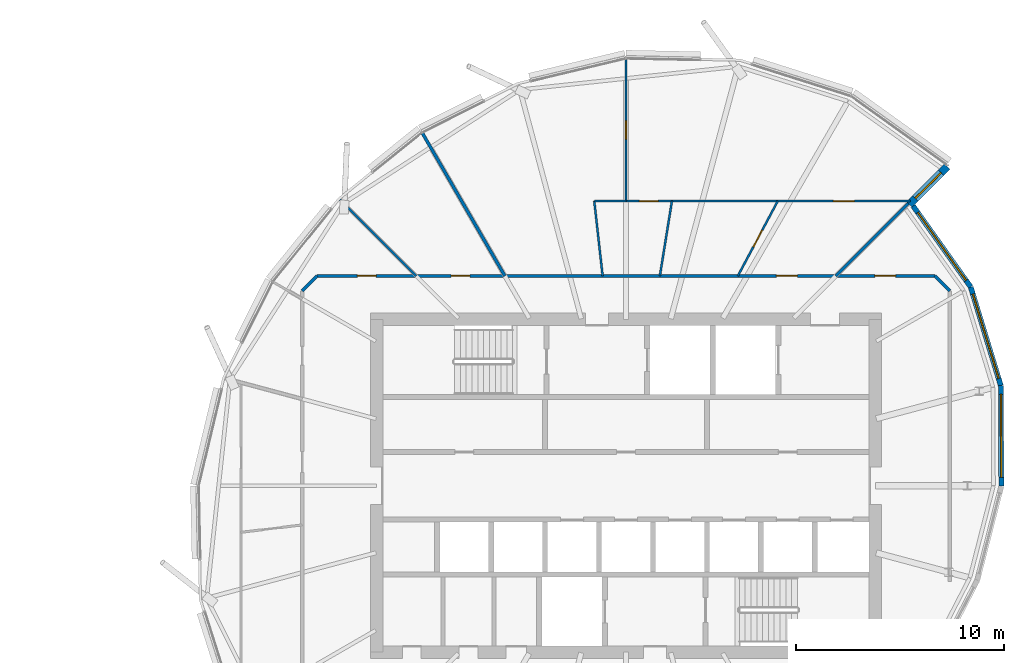
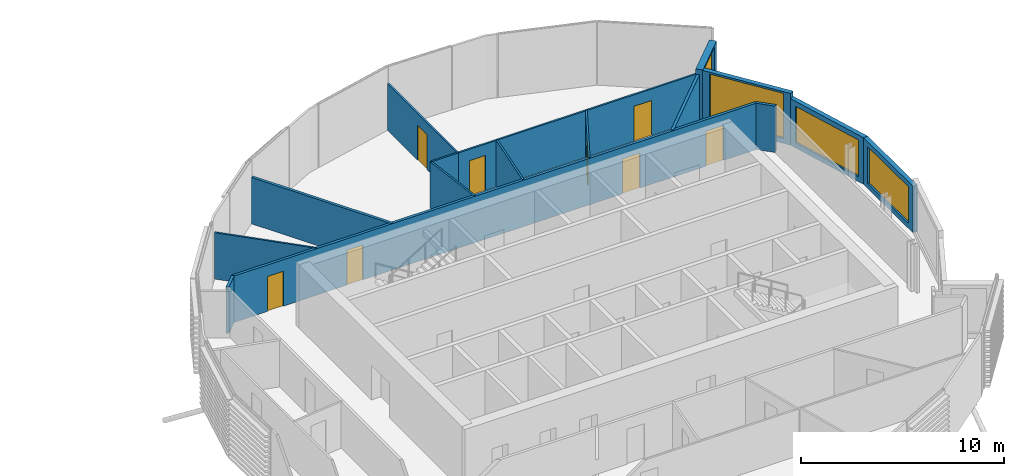
# One storey, part 24 of 36: 16 walls, 8 doors, 4 windows, 12 openings.
"""IFC4 building model written with IfcOpenShell, lengths in metres."""

import ifcopenshell
import ifcopenshell.guid

model = None  # the IFC model being written
_history = None  # IfcOwnerHistory: only IFC2X3 demands one
_inside = {}  # id of a spatial element -> (the spatial element, [elements in it])
_under = {}  # id of a project, library or spatial element -> (it, [spatial elements below it])
_declared = {}  # id of a project -> (the project, [libraries it declares])
_typed = {}  # id of a type object -> (the type object, [elements of that type])
_made_of = {}  # id of a material, layer set ... -> (it, [elements and type objects made of it])


def new_model(schema):
    """Start an empty IFC model of exactly this schema.

    Asked for "IFC4X3", IfcOpenShell would pick the latest addendum, in which some entities
    have other attributes; the version numbers below select the first issue.
    IFC2X3 requires an IfcOwnerHistory on every rooted entity: one is made here for all.
    """
    global model, _history
    if schema == "IFC4X3":
        model = ifcopenshell.file(schema_version=(4, 3, 0, 0))
    else:
        model = ifcopenshell.file(schema=schema)
    _inside.clear()
    _under.clear()
    _declared.clear()
    _typed.clear()
    _made_of.clear()
    _history = None
    if model.schema == "IFC2X3":
        org = make("IfcOrganization", Name="unknown")
        user = make(
            "IfcPersonAndOrganization",
            ThePerson=make("IfcPerson", FamilyName="unknown"),
            TheOrganization=org,
        )
        app = make(
            "IfcApplication",
            ApplicationDeveloper=org,
            Version="unknown",
            ApplicationFullName="unknown",
            ApplicationIdentifier="unknown",
        )
        _history = make(
            "IfcOwnerHistory",
            OwningUser=user,
            OwningApplication=app,
            ChangeAction="ADDED",
            CreationDate=0,
        )
    return model


def make(cls, **values):
    """One entity of the class cls with the attributes given. An attribute that is None is left unset."""
    return model.create_entity(
        cls, **{name: value for name, value in values.items() if value is not None}
    )


def rooted(cls, **values):
    """An entity with a GlobalId (a new one), such as an element, a storey or a relation."""
    return make(cls, GlobalId=ifcopenshell.guid.new(), OwnerHistory=_history, **values)


def si_unit(unit_type, name, prefix=None):
    """IfcSIUnit, for example si_unit("LENGTHUNIT", "METRE", prefix="MILLI")."""
    return make("IfcSIUnit", UnitType=unit_type, Prefix=prefix, Name=name)


def assignment(units):
    """IfcUnitAssignment: the units of a project."""
    return None if units is None else make("IfcUnitAssignment", Units=units)


def point(xyz):
    """IfcCartesianPoint."""
    return None if xyz is None else make("IfcCartesianPoint", Coordinates=xyz)


def direction(xyz):
    """IfcDirection."""
    return None if xyz is None else make("IfcDirection", DirectionRatios=xyz)


def frame(location, z_axis=None, x_axis=None):
    """IfcAxis2Placement3D, a coordinate frame: its origin and axes. An axis left out is left unset."""
    return make(
        "IfcAxis2Placement3D",
        Location=point(location),
        Axis=direction(z_axis),
        RefDirection=direction(x_axis),
    )


def frame_2d(location, x_axis=None):
    """IfcAxis2Placement2D, a coordinate frame in the plane: its origin and x axis."""
    return make(
        "IfcAxis2Placement2D", Location=point(location), RefDirection=direction(x_axis)
    )


def origin():
    """The frame at (0, 0, 0) with its axes left unset."""
    return frame((0.0, 0.0, 0.0))


def place(relative_to, where):
    """IfcLocalPlacement: puts the frame where relative to a parent placement (None: the world)."""
    return make(
        "IfcLocalPlacement", PlacementRelTo=relative_to, RelativePlacement=where
    )


def context(
    kind, dimensions, precision=None, world=None, true_north=None, identifier=None
):
    """IfcGeometricRepresentationContext, for example the 3D "Model" context."""
    return make(
        "IfcGeometricRepresentationContext",
        ContextIdentifier=identifier,
        ContextType=kind,
        CoordinateSpaceDimension=dimensions,
        Precision=precision,
        WorldCoordinateSystem=world,
        TrueNorth=true_north,
    )


def subcontext(parent, identifier, kind, view, scale=None):
    """IfcGeometricRepresentationSubContext, for example "Body" below "Model"."""
    return make(
        "IfcGeometricRepresentationSubContext",
        ContextIdentifier=identifier,
        ContextType=kind,
        ParentContext=parent,
        TargetScale=scale,
        TargetView=view,
    )


def project(units=None, contexts=None):
    """IfcProject with its units and contexts."""
    return rooted(
        "IfcProject",
        Name="project",
        RepresentationContexts=contexts,
        UnitsInContext=assignment(units),
    )


def spatial(cls, under=None, at=None, **own):
    """A site, building, storey or space (cls), placed at a placement, below another one or the project."""
    s = rooted(cls, ObjectPlacement=at, **own)
    if under is not None:
        _under.setdefault(under.id(), (under, []))[1].append(s)
    return s


def profile(cls, at=None, kind="AREA", **sizes):
    """A parametric profile (cls). Its sizes go by their IFC names, for example OverallWidth=200.0."""
    return make(cls, ProfileType=kind, Position=at, **sizes)


def rectangle(**sizes):
    """IfcRectangleProfileDef."""
    return profile("IfcRectangleProfileDef", **sizes)


def extrude(swept, where, along, depth):
    """IfcExtrudedAreaSolid: the profile swept, set in the frame where, extruded along a direction by depth."""
    return make(
        "IfcExtrudedAreaSolid",
        SweptArea=swept,
        Position=where,
        ExtrudedDirection=direction(along),
        Depth=depth,
    )


def shape(context_of_items, identifier, shape_type, items):
    """IfcShapeRepresentation: the items that make up one representation, for example the "Body"."""
    return make(
        "IfcShapeRepresentation",
        ContextOfItems=context_of_items,
        RepresentationIdentifier=identifier,
        RepresentationType=shape_type,
        Items=items,
    )


def material(Name=None, Category=None):
    """IfcMaterial."""
    return make("IfcMaterial", Name=Name, Category=Category)


def layer(
    of_material, thickness, ventilated=None, Name=None, Category=None, Priority=None
):
    """IfcMaterialLayer: one layer of a wall or slab, of a material (None: an air gap)."""
    return make(
        "IfcMaterialLayer",
        Material=of_material,
        LayerThickness=thickness,
        IsVentilated=ventilated,
        Name=Name,
        Category=Category,
        Priority=Priority,
    )


def layer_set(layers, Name=None):
    """IfcMaterialLayerSet."""
    return make("IfcMaterialLayerSet", MaterialLayers=layers, LayerSetName=Name)


def made_of(thing, what):
    """Note that an element or type object is made of a material, layer set ...; save() writes the relation."""
    if what is not None:
        _made_of.setdefault(what.id(), (what, []))[1].append(thing)
    return thing


def type_object(cls, material=None, **own):
    """A type object (cls), such as IfcWallType, which elements share."""
    return made_of(rooted(cls, **own), material)


def element(
    cls,
    number,
    at=None,
    inside=None,
    cuts=None,
    type_object=None,
    material=None,
    context=None,
    identifier="Body",
    shape_type=None,
    held_by="IfcProductDefinitionShape",
    body=None,
    shapes=None,
    **own,
):
    """One element of the class cls, such as IfcWall. Its Tag is "e" and its number.

    at: its placement. inside: the storey or other place that contains it. cuts: it is an
    opening in that element (IfcRelVoidsElement). A single representation is given by context,
    identifier, shape_type and body (its items); several are given by shapes. held_by: the class
    of the entity that holds the representations. save() writes the other relations.
    """
    e = rooted(cls, Tag="e%d" % number, ObjectPlacement=at, **own)
    if body is not None:
        shapes = [shape(context, identifier, shape_type, body)]
    if shapes is not None:
        e.Representation = make(held_by, Representations=shapes)
    if inside is not None:
        _inside.setdefault(inside.id(), (inside, []))[1].append(e)
    if cuts is not None:
        rooted(
            "IfcRelVoidsElement", RelatingBuildingElement=cuts, RelatedOpeningElement=e
        )
    if type_object is not None:
        _typed.setdefault(type_object.id(), (type_object, []))[1].append(e)
    return made_of(e, material)


def fill(opening, filler):
    """IfcRelFillsElement: the door or window that sits in an opening."""
    return rooted(
        "IfcRelFillsElement",
        RelatingOpeningElement=opening,
        RelatedBuildingElement=filler,
    )


def aggregate(whole, parts):
    """IfcRelAggregates: a whole, such as a stair, and the parts it consists of."""
    return rooted("IfcRelAggregates", RelatingObject=whole, RelatedObjects=parts)


def save(model, path):
    """Write the relations noted so far, then the file.

    IfcRelAggregates (storeys below a building ...), IfcRelContainedInSpatialStructure (elements
    in a storey), IfcRelDefinesByType, IfcRelAssociatesMaterial and IfcRelDeclares: one each for
    every whole, place, type object, material and project.
    """
    for whole, parts in _under.values():
        aggregate(whole, parts)
    for where, things in _inside.values():
        rooted(
            "IfcRelContainedInSpatialStructure",
            RelatedElements=things,
            RelatingStructure=where,
        )
    for kind, things in _typed.values():
        rooted("IfcRelDefinesByType", RelatedObjects=things, RelatingType=kind)
    for what, things in _made_of.values():
        rooted("IfcRelAssociatesMaterial", RelatedObjects=things, RelatingMaterial=what)
    for by, libraries in _declared.values():
        rooted("IfcRelDeclares", RelatingContext=by, RelatedDefinitions=libraries)
    model.write(path)


model = new_model("IFC4")

# Units and contexts
model_context = context("Model", 3, precision=1e-05, world=origin(), true_north=direction((0.0, 1.0)))
body_context = subcontext(model_context, "Body", "Model", "MODEL_VIEW")
ifc_project = project(units=[si_unit("LENGTHUNIT", "METRE"), si_unit("AREAUNIT", "SQUARE_METRE"), si_unit("VOLUMEUNIT", "CUBIC_METRE"), si_unit("PLANEANGLEUNIT", "RADIAN"), si_unit("MASSUNIT", "GRAM", prefix="KILO")], contexts=[model_context])

# Site, building, storey
site_placement = place(None, origin())
site = spatial("IfcSite", under=ifc_project, at=site_placement, CompositionType="ELEMENT")
building_placement = place(site_placement, origin())
building = spatial("IfcBuilding", under=site, at=building_placement, Name="Rimbun Link Towers", CompositionType="ELEMENT")
storey_placement = place(building_placement, frame((0.0, 0.0, 189.300048828125)))
storey = spatial("IfcBuildingStorey", under=building, at=storey_placement, Name="L46", CompositionType="ELEMENT", Elevation=189.300048828125)

# Wall, opening, window
ifc_material_1 = material(Name="Dark enamelled glass spandrel on insulated aluminium backpan", Category="aluminium")
ifc_layer_1 = layer(ifc_material_1, 0.25)
ifc_layer_set_1 = layer_set([ifc_layer_1], Name="CS dark enamelled spandrel wall 250")
wall_type_1 = type_object("IfcWallType", Name="CS dark enamelled spandrel wall 250", PredefinedType="STANDARD", material=ifc_layer_set_1)
wall_1_placement = place(storey_placement, frame((49.7822265625, 4.8173828125, 0.0), z_axis=(0.0, 0.0, 1.0), x_axis=(0.005556873031, -0.999984560462, 0.0)))
wall_1 = element("IfcWall", 1, at=wall_1_placement, inside=storey, type_object=wall_type_1, Name="Crease spandrel wall", PredefinedType="STANDARD", context=body_context, shape_type="SweptSolid", body=[
    extrude(rectangle(XDim=4.832763671875, YDim=0.25, at=frame_2d((2.41650390625, 0.0))), origin(), (0.0, 0.0, 1.0), 2.799072265625),
])
opening_1_placement = place(wall_1_placement, frame((0.416259765625, 0.0, 0.300048828125)))
opening_1 = element("IfcOpeningElement", 2, at=opening_1_placement, cuts=wall_1, Name="Opening WR40H220", PredefinedType="OPENING", context=body_context, shape_type="SweptSolid", body=[
    extrude(rectangle(XDim=4.0, YDim=2.199951171875, at=frame_2d((2.0, 1.10009765625))), frame((0.0, 0.135009765625, 0.0), z_axis=(0.0, -1.0, 0.0), x_axis=(1.0, 0.0, 0.0)), (0.0, 0.0, 1.0), 0.27001953125),
])
ifc_material_2 = material(Name="Aluminium framed fixed window, dark tinted low-e glass", Category="aluminium")
window_type_1 = type_object("IfcWindowType", Name="WR ribbon window 4000X2200", PartitioningType="SINGLE_PANEL", PredefinedType="WINDOW", material=ifc_material_2)
window_1_placement = place(opening_1_placement, origin())
window_1 = element("IfcWindow", 3, at=window_1_placement, inside=storey, type_object=window_type_1, Name="Crease ribbon window", OverallHeight=2.199951171875, OverallWidth=4.0, PartitioningType="SINGLE_PANEL", PredefinedType="WINDOW", context=body_context, shape_type="SweptSolid", body=[
    extrude(rectangle(XDim=4.0, YDim=2.199951171875, at=frame_2d((2.0, 1.10009765625))), frame((0.0, 0.030029296875, 0.0), z_axis=(0.0, -1.0, 0.0), x_axis=(1.0, 0.0, 0.0)), (0.0, 0.0, 1.0), 0.06005859375),
])
fill(opening_1, window_1)

wall_2_placement = place(storey_placement, frame((48.333251953125, 9.564697265625, 0.0), z_axis=(0.0, 0.0, 1.0), x_axis=(0.291924857716, -0.956441256663, 0.0)))
wall_2 = element("IfcWall", 4, at=wall_2_placement, inside=storey, type_object=wall_type_1, Name="Crease spandrel wall", PredefinedType="STANDARD", context=body_context, shape_type="SweptSolid", body=[
    extrude(rectangle(XDim=4.963623046875, YDim=0.25, at=frame_2d((2.48193359375, 0.0))), origin(), (0.0, 0.0, 1.0), 2.799072265625),
])
opening_2_placement = place(wall_2_placement, frame((0.356689453125, 0.0, 0.300048828125)))
opening_2 = element("IfcOpeningElement", 5, at=opening_2_placement, cuts=wall_2, Name="Opening WR42H220", PredefinedType="OPENING", context=body_context, shape_type="SweptSolid", body=[
    extrude(rectangle(XDim=4.25, YDim=2.199951171875, at=frame_2d((2.125, 1.10009765625))), frame((0.0, 0.135009765625, 0.0), z_axis=(0.0, -1.0, 0.0), x_axis=(1.0, 0.0, 0.0)), (0.0, 0.0, 1.0), 0.27001953125),
])
ifc_material_3 = material(Name="Aluminium framed fixed window, dark tinted low-e glass", Category="aluminium")
window_type_2 = type_object("IfcWindowType", Name="WR ribbon window 4250X2200", PartitioningType="SINGLE_PANEL", PredefinedType="WINDOW", material=ifc_material_3)
window_2_placement = place(opening_2_placement, origin())
window_2 = element("IfcWindow", 6, at=window_2_placement, inside=storey, type_object=window_type_2, Name="Crease ribbon window", OverallHeight=2.199951171875, OverallWidth=4.25, PartitioningType="SINGLE_PANEL", PredefinedType="WINDOW", context=body_context, shape_type="SweptSolid", body=[
    extrude(rectangle(XDim=4.25, YDim=2.199951171875, at=frame_2d((2.125, 1.10009765625))), frame((0.0, 0.030029296875, 0.0), z_axis=(0.0, -1.0, 0.0), x_axis=(1.0, 0.0, 0.0)), (0.0, 0.0, 1.0), 0.06005859375),
])
fill(opening_2, window_2)

wall_3_placement = place(storey_placement, frame((45.563720703125, 13.460205078125, 0.0), z_axis=(0.0, 0.0, 1.0), x_axis=(0.579439349733, -0.815015361807, 0.0)))
wall_3 = element("IfcWall", 7, at=wall_3_placement, inside=storey, type_object=wall_type_1, Name="Crease spandrel wall", PredefinedType="STANDARD", context=body_context, shape_type="SweptSolid", body=[
    extrude(rectangle(XDim=4.77978515625, YDim=0.25, at=frame_2d((2.389892578125, 0.0))), origin(), (0.0, 0.0, 1.0), 3.10693359375),
])
opening_3_placement = place(wall_3_placement, frame((0.389892578125, 0.0, 0.300048828125)))
opening_3 = element("IfcOpeningElement", 8, at=opening_3_placement, cuts=wall_3, Name="Opening WR40H270", PredefinedType="OPENING", context=body_context, shape_type="SweptSolid", body=[
    extrude(rectangle(XDim=4.0, YDim=2.699951171875, at=frame_2d((2.0, 1.35009765625))), frame((0.0, 0.135009765625, 0.0), z_axis=(0.0, -1.0, 0.0), x_axis=(1.0, 0.0, 0.0)), (0.0, 0.0, 1.0), 0.27001953125),
])
ifc_material_4 = material(Name="Aluminium framed fixed window, dark tinted low-e glass", Category="aluminium")
window_type_3 = type_object("IfcWindowType", Name="WR ribbon window 4000X2700", PartitioningType="SINGLE_PANEL", PredefinedType="WINDOW", material=ifc_material_4)
window_3_placement = place(opening_3_placement, origin())
window_3 = element("IfcWindow", 9, at=window_3_placement, inside=storey, type_object=window_type_3, Name="Crease ribbon window", OverallHeight=2.699951171875, OverallWidth=4.0, PartitioningType="SINGLE_PANEL", PredefinedType="WINDOW", context=body_context, shape_type="SweptSolid", body=[
    extrude(rectangle(XDim=4.0, YDim=2.699951171875, at=frame_2d((2.0, 1.35009765625))), frame((0.0, 0.030029296875, 0.0), z_axis=(0.0, -1.0, 0.0), x_axis=(1.0, 0.0, 0.0)), (0.0, 0.0, 1.0), 0.06005859375),
])
fill(opening_3, window_3)

ifc_material_5 = material(Name="Dark enamelled glass spandrel on insulated aluminium backpan", Category="aluminium")
ifc_layer_2 = layer(ifc_material_5, 0.3701171875)
ifc_layer_set_2 = layer_set([ifc_layer_2], Name="CS dark enamelled spandrel wall 370")
wall_type_2 = type_object("IfcWallType", Name="CS dark enamelled spandrel wall 370", PredefinedType="STANDARD", material=ifc_layer_set_2)
wall_4_placement = place(storey_placement, frame((47.197509765625, 15.35546875, 0.0), z_axis=(0.0, 0.0, 1.0), x_axis=(-0.70715409354, -0.707059465667, 0.0)))
wall_4 = element("IfcWall", 10, at=wall_4_placement, inside=storey, type_object=wall_type_2, Name="Crease spandrel wall", PredefinedType="STANDARD", context=body_context, shape_type="SweptSolid", body=[
    extrude(rectangle(XDim=2.580078125, YDim=0.3701171875, at=frame_2d((1.2900390625, 0.0))), origin(), (0.0, 0.0, 1.0), 3.10693359375),
])
opening_4_placement = place(wall_4_placement, frame((0.4150390625, 0.0, 0.300048828125)))
opening_4 = element("IfcOpeningElement", 11, at=opening_4_placement, cuts=wall_4, Name="Opening WR18H270", PredefinedType="OPENING", context=body_context, shape_type="SweptSolid", body=[
    extrude(rectangle(XDim=1.75, YDim=2.699951171875, at=frame_2d((0.875, 1.35009765625))), frame((0.0, 0.195068359375, 0.0), z_axis=(0.0, -1.0, 0.0), x_axis=(1.0, 0.0, 0.0)), (0.0, 0.0, 1.0), 0.39013671875),
])
ifc_material_6 = material(Name="Aluminium framed fixed window, dark tinted low-e glass", Category="aluminium")
window_type_4 = type_object("IfcWindowType", Name="WR ribbon window 1750X2700", PartitioningType="SINGLE_PANEL", PredefinedType="WINDOW", material=ifc_material_6)
window_4_placement = place(opening_4_placement, origin())
window_4 = element("IfcWindow", 12, at=window_4_placement, inside=storey, type_object=window_type_4, Name="Crease ribbon window", OverallHeight=2.699951171875, OverallWidth=1.75, PartitioningType="SINGLE_PANEL", PredefinedType="WINDOW", context=body_context, shape_type="SweptSolid", body=[
    extrude(rectangle(XDim=1.75, YDim=2.699951171875, at=frame_2d((0.875, 1.35009765625))), frame((0.0, 0.030029296875, 0.0), z_axis=(0.0, -1.0, 0.0), x_axis=(1.0, 0.0, 0.0)), (0.0, 0.0, 1.0), 0.06005859375),
])
fill(opening_4, window_4)

# Wall
ifc_material_7 = material(Name="Plasterboard on steel stud, mineral wool", Category="steel")
ifc_layer_3 = layer(ifc_material_7, 0.14990234375)
ifc_layer_set_3 = layer_set([ifc_layer_3], Name="Corridor wall EI 30 150 mm")
wall_type_3 = type_object("IfcWallType", Name="Corridor wall EI 30 150 mm", PredefinedType="PARTITIONING", material=ifc_layer_set_3)
wall_5_placement = place(storey_placement, frame((16.896240234375, 10.094970703125, 0.0), z_axis=(0.0, 0.0, 1.0), x_axis=(-0.707106781187, -0.707106781187, 0.0)))
element("IfcWall", 13, at=wall_5_placement, inside=storey, type_object=wall_type_3, Name="Corridor wall EI 30 150 mm", PredefinedType="PARTITIONING", context=body_context, shape_type="SweptSolid", body=[
    extrude(rectangle(XDim=1.02001953125, YDim=0.14990234375, at=frame_2d((0.510009765625, 0.0))), origin(), (0.0, 0.0, 1.0), 2.7890625),
])

# Wall, openings, doors
wall_6_placement = place(storey_placement, frame((16.896240234375, 10.094970703125, 0.0), z_axis=(0.0, 0.0, 1.0), x_axis=(1.0, 0.0, 0.0)))
wall_6 = element("IfcWall", 14, at=wall_6_placement, inside=storey, type_object=wall_type_3, Name="Corridor wall EI 30 150 mm", PredefinedType="PARTITIONING", context=body_context, shape_type="SweptSolid", body=[
    extrude(rectangle(XDim=29.70751953125, YDim=0.14990234375, at=frame_2d((14.853759765625, 0.0))), origin(), (0.0, 0.0, 1.0), 2.7890625),
])
opening_5_placement = place(wall_6_placement, frame((22.091796875, 0.0, 0.0)))
opening_5 = element("IfcOpeningElement", 15, at=opening_5_placement, cuts=wall_6, Name="Opening D01", PredefinedType="OPENING", context=body_context, shape_type="SweptSolid", body=[
    extrude(rectangle(XDim=1.0, YDim=2.10009765625, at=frame_2d((0.5, 1.050048828125))), frame((0.0, 0.0849609375, 0.0), z_axis=(0.0, -1.0, 0.0), x_axis=(1.0, 0.0, 0.0)), (0.0, 0.0, 1.0), 0.169921875),
])
opening_6_placement = place(wall_6_placement, frame((6.44189453125, 0.0, 0.0)))
opening_6 = element("IfcOpeningElement", 16, at=opening_6_placement, cuts=wall_6, Name="Opening D02", PredefinedType="OPENING", context=body_context, shape_type="SweptSolid", body=[
    extrude(rectangle(XDim=0.89990234375, YDim=2.10009765625, at=frame_2d((0.449951171875, 1.050048828125))), frame((0.0, 0.0849609375, 0.0), z_axis=(0.0, -1.0, 0.0), x_axis=(1.0, 0.0, 0.0)), (0.0, 0.0, 1.0), 0.169921875),
])
opening_7_placement = place(wall_6_placement, frame((1.92919921875, 0.0, 0.0)))
opening_7 = element("IfcOpeningElement", 17, at=opening_7_placement, cuts=wall_6, Name="Opening D02", PredefinedType="OPENING", context=body_context, shape_type="SweptSolid", body=[
    extrude(rectangle(XDim=0.89990234375, YDim=2.10009765625, at=frame_2d((0.449951171875, 1.050048828125))), frame((0.0, 0.0849609375, 0.0), z_axis=(0.0, -1.0, 0.0), x_axis=(1.0, 0.0, 0.0)), (0.0, 0.0, 1.0), 0.169921875),
])
opening_8_placement = place(wall_6_placement, frame((26.828125, 0.0, 0.0)))
opening_8 = element("IfcOpeningElement", 18, at=opening_8_placement, cuts=wall_6, Name="Opening D01", PredefinedType="OPENING", context=body_context, shape_type="SweptSolid", body=[
    extrude(rectangle(XDim=1.0, YDim=2.10009765625, at=frame_2d((0.5, 1.050048828125))), frame((0.0, 0.0849609375, 0.0), z_axis=(0.0, -1.0, 0.0), x_axis=(1.0, 0.0, 0.0)), (0.0, 0.0, 1.0), 0.169921875),
])
ifc_material_8 = material(Name="Fire-resisting timber door leaf", Category="wood")
door_type_1 = type_object("IfcDoorType", Name="Fire door FD30S 1000", OperationType="NOTDEFINED", PredefinedType="DOOR", material=ifc_material_8)
door_1_placement = place(opening_5_placement, origin())
door_1 = element("IfcDoor", 19, at=door_1_placement, inside=storey, type_object=door_type_1, Name="Fire door FD30S 1000 to Tenant lobby", OperationType="SINGLE_SWING_LEFT", OverallHeight=2.10009765625, OverallWidth=1.0, PredefinedType="DOOR", context=body_context, shape_type="SweptSolid", body=[
    extrude(rectangle(XDim=1.0, YDim=2.10009765625, at=frame_2d((0.5, 1.050048828125))), frame((0.0, 0.02490234375, 0.0), z_axis=(0.0, -1.0, 0.0), x_axis=(1.0, 0.0, 0.0)), (0.0, 0.0, 1.0), 0.050048828125),
])
fill(opening_5, door_1)
door_2_placement = place(opening_8_placement, origin())
door_2 = element("IfcDoor", 20, at=door_2_placement, inside=storey, type_object=door_type_1, Name="Fire door FD30S 1000 to Terrace office", OperationType="SINGLE_SWING_LEFT", OverallHeight=2.10009765625, OverallWidth=1.0, PredefinedType="DOOR", context=body_context, shape_type="SweptSolid", body=[
    extrude(rectangle(XDim=1.0, YDim=2.10009765625, at=frame_2d((0.5, 1.050048828125))), frame((0.0, 0.02490234375, 0.0), z_axis=(0.0, -1.0, 0.0), x_axis=(1.0, 0.0, 0.0)), (0.0, 0.0, 1.0), 0.050048828125),
])
fill(opening_8, door_2)
ifc_material_9 = material(Name="Fire-resisting timber door leaf", Category="wood")
door_type_2 = type_object("IfcDoorType", Name="Fire door FD30S 900", OperationType="NOTDEFINED", PredefinedType="DOOR", material=ifc_material_9)
door_3_placement = place(opening_6_placement, origin())
door_3 = element("IfcDoor", 21, at=door_3_placement, inside=storey, type_object=door_type_2, Name="Fire door FD30S 900 to Cellular office", OperationType="SINGLE_SWING_RIGHT", OverallHeight=2.10009765625, OverallWidth=0.89990234375, PredefinedType="DOOR", context=body_context, shape_type="SweptSolid", body=[
    extrude(rectangle(XDim=0.89990234375, YDim=2.10009765625, at=frame_2d((0.449951171875, 1.050048828125))), frame((0.0, 0.02490234375, 0.0), z_axis=(0.0, -1.0, 0.0), x_axis=(1.0, 0.0, 0.0)), (0.0, 0.0, 1.0), 0.050048828125),
])
fill(opening_6, door_3)
door_4_placement = place(opening_7_placement, origin())
door_4 = element("IfcDoor", 22, at=door_4_placement, inside=storey, type_object=door_type_2, Name="Fire door FD30S 900 to Meeting room", OperationType="SINGLE_SWING_LEFT", OverallHeight=2.10009765625, OverallWidth=0.89990234375, PredefinedType="DOOR", context=body_context, shape_type="SweptSolid", body=[
    extrude(rectangle(XDim=0.89990234375, YDim=2.10009765625, at=frame_2d((0.449951171875, 1.050048828125))), frame((0.0, 0.02490234375, 0.0), z_axis=(0.0, -1.0, 0.0), x_axis=(1.0, 0.0, 0.0)), (0.0, 0.0, 1.0), 0.050048828125),
])
fill(opening_7, door_4)

# Wall
wall_7_placement = place(storey_placement, frame((47.324951171875, 9.373779296875, 0.0), z_axis=(0.0, 0.0, 1.0), x_axis=(-0.707106781187, 0.707106781187, 0.0)))
element("IfcWall", 23, at=wall_7_placement, inside=storey, type_object=wall_type_3, Name="Corridor wall EI 30 150 mm", PredefinedType="PARTITIONING", context=body_context, shape_type="SweptSolid", body=[
    extrude(rectangle(XDim=1.02001953125, YDim=0.14990234375, at=frame_2d((0.510009765625, 0.0))), origin(), (0.0, 0.0, 1.0), 2.7890625),
])

# Wall, opening, door
ifc_material_10 = material(Name="Plasterboard on steel stud", Category="steel")
ifc_layer_4 = layer(ifc_material_10, 0.10009765625)
ifc_layer_set_4 = layer_set([ifc_layer_4], Name="Plasterboard partition 100 mm")
wall_type_4 = type_object("IfcWallType", Name="Plasterboard partition 100 mm", PredefinedType="PARTITIONING", material=ifc_layer_set_4)
wall_8_placement = place(storey_placement, frame((37.130859375, 10.094970703125, 0.0), z_axis=(0.0, 0.0, 1.0), x_axis=(0.470377006272, 0.882465564184, 0.0)))
wall_8 = element("IfcWall", 24, at=wall_8_placement, inside=storey, type_object=wall_type_4, Name="Plasterboard partition 100 mm", PredefinedType="PARTITIONING", context=body_context, shape_type="SweptSolid", body=[
    extrude(rectangle(XDim=4.07958984375, YDim=0.10009765625, at=frame_2d((2.039794921875, 0.0))), origin(), (0.0, 0.0, 1.0), 2.7890625),
])
opening_9_placement = place(wall_8_placement, frame((1.58984375, 0.0, 0.0)))
opening_9 = element("IfcOpeningElement", 25, at=opening_9_placement, cuts=wall_8, Name="Opening D04", PredefinedType="OPENING", context=body_context, shape_type="SweptSolid", body=[
    extrude(rectangle(XDim=0.89990234375, YDim=2.10009765625, at=frame_2d((0.449951171875, 1.050048828125))), frame((0.0, 0.06005859375, 0.0), z_axis=(0.0, -1.0, 0.0), x_axis=(1.0, 0.0, 0.0)), (0.0, 0.0, 1.0), 0.1201171875),
])
ifc_material_11 = material(Name="Timber door leaf", Category="wood")
door_type_3 = type_object("IfcDoorType", Name="Flush door 900", OperationType="NOTDEFINED", PredefinedType="DOOR", material=ifc_material_11)
door_5_placement = place(opening_9_placement, origin())
door_5 = element("IfcDoor", 26, at=door_5_placement, inside=storey, type_object=door_type_3, Name="Flush door 900 to Huddle room", OperationType="SINGLE_SWING_RIGHT", OverallHeight=2.10009765625, OverallWidth=0.89990234375, PredefinedType="DOOR", context=body_context, shape_type="SweptSolid", body=[
    extrude(rectangle(XDim=0.89990234375, YDim=2.10009765625, at=frame_2d((0.449951171875, 1.050048828125))), frame((0.0, 0.02490234375, 0.0), z_axis=(0.0, -1.0, 0.0), x_axis=(1.0, 0.0, 0.0)), (0.0, 0.0, 1.0), 0.050048828125),
])
fill(opening_9, door_5)

# Wall, openings, doors
wall_9_placement = place(storey_placement, frame((31.75, 13.695068359375, 0.0), z_axis=(0.0, 0.0, 1.0), x_axis=(1.0, 0.0, 0.0)))
wall_9 = element("IfcWall", 27, at=wall_9_placement, inside=storey, type_object=wall_type_4, Name="Plasterboard partition 100 mm", PredefinedType="PARTITIONING", context=body_context, shape_type="SweptSolid", body=[
    extrude(rectangle(XDim=13.695068359375, YDim=0.10009765625, at=frame_2d((6.84765625, 0.0))), origin(), (0.0, 0.0, 1.0), 2.7890625),
])
opening_10_placement = place(wall_9_placement, frame((9.98046875, 0.0, 0.0)))
opening_10 = element("IfcOpeningElement", 28, at=opening_10_placement, cuts=wall_9, Name="Opening D03", PredefinedType="OPENING", context=body_context, shape_type="SweptSolid", body=[
    extrude(rectangle(XDim=1.0, YDim=2.10009765625, at=frame_2d((0.5, 1.050048828125))), frame((0.0, 0.06005859375, 0.0), z_axis=(0.0, -1.0, 0.0), x_axis=(1.0, 0.0, 0.0)), (0.0, 0.0, 1.0), 0.1201171875),
])
opening_11_placement = place(wall_9_placement, frame((0.639892578125, 0.0, 0.0)))
opening_11 = element("IfcOpeningElement", 29, at=opening_11_placement, cuts=wall_9, Name="Opening D04", PredefinedType="OPENING", context=body_context, shape_type="SweptSolid", body=[
    extrude(rectangle(XDim=0.89990234375, YDim=2.10009765625, at=frame_2d((0.449951171875, 1.050048828125))), frame((0.0, 0.06005859375, 0.0), z_axis=(0.0, -1.0, 0.0), x_axis=(1.0, 0.0, 0.0)), (0.0, 0.0, 1.0), 0.1201171875),
])
ifc_material_12 = material(Name="Timber door leaf", Category="wood")
door_type_4 = type_object("IfcDoorType", Name="Flush door 1000", OperationType="NOTDEFINED", PredefinedType="DOOR", material=ifc_material_12)
door_6_placement = place(opening_10_placement, origin())
door_6 = element("IfcDoor", 30, at=door_6_placement, inside=storey, type_object=door_type_4, Name="Flush door 1000 to Open office", OperationType="SINGLE_SWING_LEFT", OverallHeight=2.10009765625, OverallWidth=1.0, PredefinedType="DOOR", context=body_context, shape_type="SweptSolid", body=[
    extrude(rectangle(XDim=1.0, YDim=2.10009765625, at=frame_2d((0.5, 1.050048828125))), frame((0.0, 0.02490234375, 0.0), z_axis=(0.0, -1.0, 0.0), x_axis=(1.0, 0.0, 0.0)), (0.0, 0.0, 1.0), 0.050048828125),
])
fill(opening_10, door_6)
door_7_placement = place(opening_11_placement, origin())
door_7 = element("IfcDoor", 31, at=door_7_placement, inside=storey, type_object=door_type_3, Name="Flush door 900 to Huddle room", OperationType="SINGLE_SWING_RIGHT", OverallHeight=2.10009765625, OverallWidth=0.89990234375, PredefinedType="DOOR", context=body_context, shape_type="SweptSolid", body=[
    extrude(rectangle(XDim=0.89990234375, YDim=2.10009765625, at=frame_2d((0.449951171875, 1.050048828125))), frame((0.0, 0.02490234375, 0.0), z_axis=(0.0, -1.0, 0.0), x_axis=(1.0, 0.0, 0.0)), (0.0, 0.0, 1.0), 0.050048828125),
])
fill(opening_11, door_7)

# Walls
wall_10_placement = place(storey_placement, frame((33.959716796875, 13.695068359375, 0.0), z_axis=(0.0, 0.0, 1.0), x_axis=(-0.159272431746, -0.98723466941, 0.0)))
element("IfcWall", 32, at=wall_10_placement, inside=storey, type_object=wall_type_4, Name="Plasterboard partition 100 mm", PredefinedType="PARTITIONING", context=body_context, shape_type="SweptSolid", body=[
    extrude(rectangle(XDim=3.646728515625, YDim=0.10009765625, at=frame_2d((1.8232421875, 0.0))), origin(), (0.0, 0.0, 1.0), 2.7890625),
])
wall_11_placement = place(storey_placement, frame((30.2236328125, 13.695068359375, 0.0), z_axis=(0.0, 0.0, 1.0), x_axis=(0.110801382398, -0.993842569856, 0.0)))
element("IfcWall", 33, at=wall_11_placement, inside=storey, type_object=wall_type_4, Name="Plasterboard partition 100 mm", PredefinedType="PARTITIONING", context=body_context, shape_type="SweptSolid", body=[
    extrude(rectangle(XDim=3.622314453125, YDim=0.10009765625, at=frame_2d((1.81103515625, 0.0))), origin(), (0.0, 0.0, 1.0), 2.7890625),
])
wall_12_placement = place(storey_placement, frame((31.75, 13.695068359375, 0.0), z_axis=(0.0, 0.0, 1.0), x_axis=(-1.0, 0.0, 0.0)))
element("IfcWall", 34, at=wall_12_placement, inside=storey, type_object=wall_type_4, Name="Plasterboard partition 100 mm", PredefinedType="PARTITIONING", context=body_context, shape_type="SweptSolid", body=[
    extrude(rectangle(XDim=1.5263671875, YDim=0.10009765625, at=frame_2d((0.76318359375, 0.0))), origin(), (0.0, 0.0, 1.0), 2.7890625),
])

# Wall, opening, door
wall_13_placement = place(storey_placement, frame((31.75, 13.695068359375, 0.0), z_axis=(0.0, 0.0, 1.0), x_axis=(0.0, 1.0, 0.0)))
wall_13 = element("IfcWall", 35, at=wall_13_placement, inside=storey, type_object=wall_type_4, Name="Plasterboard partition 100 mm", PredefinedType="PARTITIONING", context=body_context, shape_type="SweptSolid", body=[
    extrude(rectangle(XDim=6.839111328125, YDim=0.10009765625, at=frame_2d((3.41943359375, 0.0))), origin(), (0.0, 0.0, 1.0), 2.7890625),
])
opening_12_placement = place(wall_13_placement, frame((2.969482421875, 0.0, 0.0)))
opening_12 = element("IfcOpeningElement", 36, at=opening_12_placement, cuts=wall_13, Name="Opening D04", PredefinedType="OPENING", context=body_context, shape_type="SweptSolid", body=[
    extrude(rectangle(XDim=0.89990234375, YDim=2.10009765625, at=frame_2d((0.449951171875, 1.050048828125))), frame((0.0, 0.06005859375, 0.0), z_axis=(0.0, -1.0, 0.0), x_axis=(1.0, 0.0, 0.0)), (0.0, 0.0, 1.0), 0.1201171875),
])
door_8_placement = place(opening_12_placement, origin())
door_8 = element("IfcDoor", 37, at=door_8_placement, inside=storey, type_object=door_type_3, Name="Flush door 900 to Project room", OperationType="SINGLE_SWING_RIGHT", OverallHeight=2.10009765625, OverallWidth=0.89990234375, PredefinedType="DOOR", context=body_context, shape_type="SweptSolid", body=[
    extrude(rectangle(XDim=0.89990234375, YDim=2.10009765625, at=frame_2d((0.449951171875, 1.050048828125))), frame((0.0, 0.02490234375, 0.0), z_axis=(0.0, -1.0, 0.0), x_axis=(1.0, 0.0, 0.0)), (0.0, 0.0, 1.0), 0.050048828125),
])
fill(opening_12, door_8)

# Walls
wall_14_placement = place(storey_placement, frame((17.986083984375, 13.763916015625, 0.0), z_axis=(0.0, 0.0, 1.0), x_axis=(0.707106781187, -0.707106781187, 0.0)))
element("IfcWall", 38, at=wall_14_placement, inside=storey, type_object=wall_type_4, Name="Plasterboard partition 100 mm", PredefinedType="PARTITIONING", context=body_context, shape_type="SweptSolid", body=[
    extrude(rectangle(XDim=5.188720703125, YDim=0.10009765625, at=frame_2d((2.59423828125, 0.0))), origin(), (0.0, 0.0, 1.0), 2.7890625),
])
ifc_material_13 = material(Name="Plasterboard on steel stud, mineral wool", Category="steel")
ifc_layer_5 = layer(ifc_material_13, 0.14990234375)
ifc_layer_set_5 = layer_set([ifc_layer_5], Name="Tenancy separation wall EI 60 150 mm")
wall_type_5 = type_object("IfcWallType", Name="Tenancy separation wall EI 60 150 mm", PredefinedType="PARTITIONING", material=ifc_layer_set_5)
wall_15_placement = place(storey_placement, frame((41.844970703125, 10.094970703125, 0.0), z_axis=(0.0, 0.0, 1.0), x_axis=(0.707106781187, 0.707106781187, 0.0)))
element("IfcWall", 39, at=wall_15_placement, inside=storey, type_object=wall_type_5, Name="Tenancy separation wall EI 60 150 mm", PredefinedType="PARTITIONING", context=body_context, shape_type="SweptSolid", body=[
    extrude(rectangle(XDim=4.924560546875, YDim=0.14990234375, at=frame_2d((2.46240234375, 0.0))), origin(), (0.0, 0.0, 1.0), 2.7890625),
])
wall_16_placement = place(storey_placement, frame((25.921630859375, 10.094970703125, 0.0), z_axis=(0.0, 0.0, 1.0), x_axis=(-0.499997422768, 0.866026891745, 0.0)))
element("IfcWall", 40, at=wall_16_placement, inside=storey, type_object=wall_type_5, Name="Tenancy separation wall EI 60 150 mm", PredefinedType="PARTITIONING", context=body_context, shape_type="SweptSolid", body=[
    extrude(rectangle(XDim=7.94189453125, YDim=0.14990234375, at=frame_2d((3.970947265625, 0.0))), origin(), (0.0, 0.0, 1.0), 2.7890625),
])

save(model, "model.ifc")
